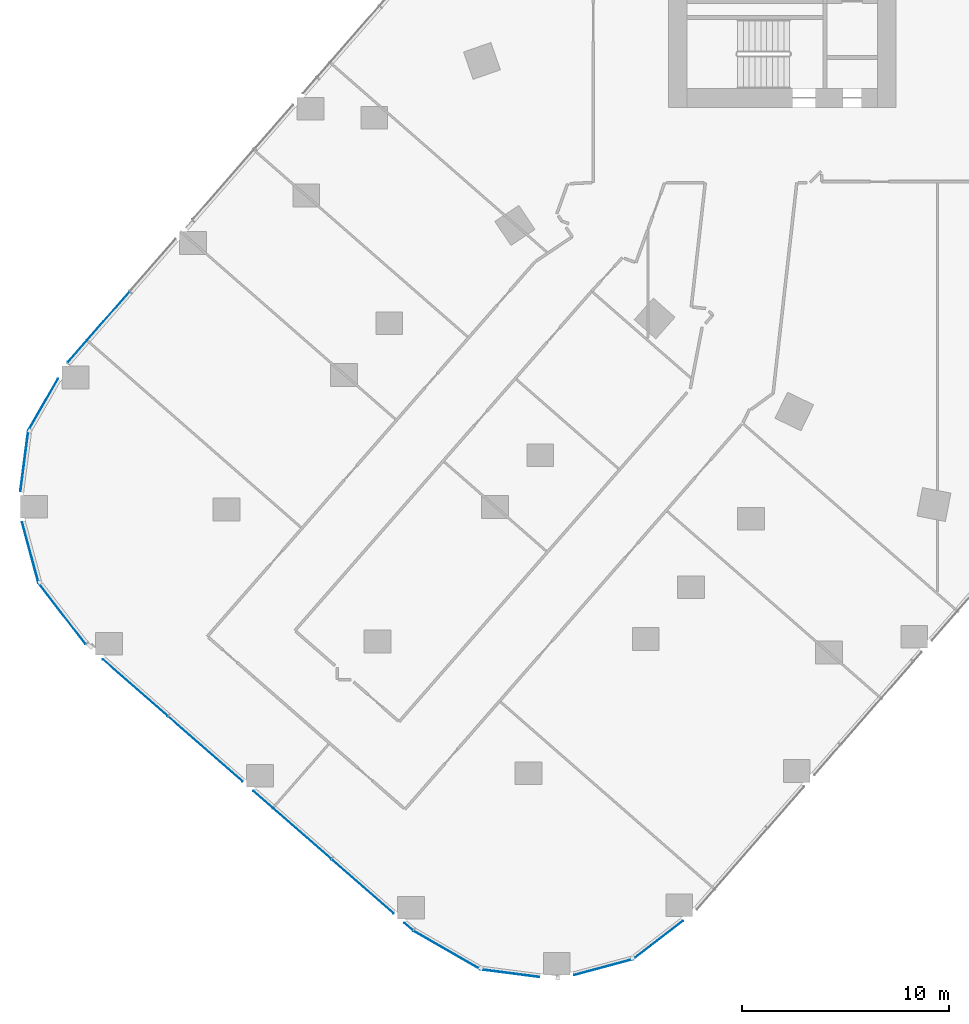
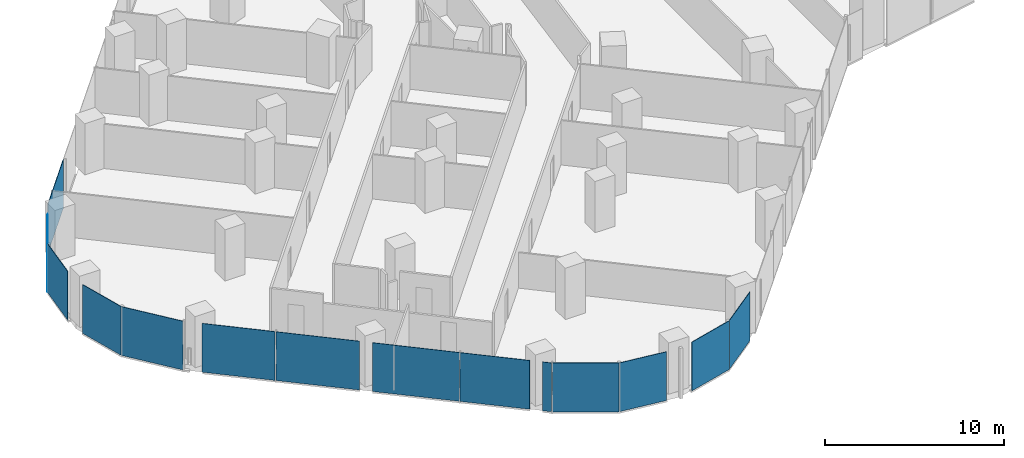
# One storey, part 18 of 38: 14 plates, 10 elements without a shape of their own.
"""IFC4 building model written with IfcOpenShell, lengths in metres."""

from ifc_helpers import new_model, si_unit, direction, frame, origin, origin_2d, place, context, subcontext, project, spatial, rectangle, extrude, material, layer, layer_set, type_object, element, aggregate, save


model = new_model("IFC4")

# Units and contexts
model_context = context("Model", 3, precision=1e-05, world=origin(), true_north=direction((0.0, 1.0)))
body_context = subcontext(model_context, "Body", "Model", "MODEL_VIEW")
ifc_project = project(units=[si_unit("LENGTHUNIT", "METRE"), si_unit("AREAUNIT", "SQUARE_METRE"), si_unit("VOLUMEUNIT", "CUBIC_METRE"), si_unit("PLANEANGLEUNIT", "RADIAN"), si_unit("MASSUNIT", "GRAM", prefix="KILO")], contexts=[model_context])

# Site, building, storey
site_placement = place(None, origin())
site = spatial("IfcSite", under=ifc_project, at=site_placement, CompositionType="ELEMENT")
building_placement = place(site_placement, origin())
building = spatial("IfcBuilding", under=site, at=building_placement, Name="Orlundy Tower", CompositionType="ELEMENT")
storey_placement = place(building_placement, frame((0.0, 0.0, 69.300048828125)))
storey = spatial("IfcBuildingStorey", under=building, at=storey_placement, Name="L16", CompositionType="ELEMENT", Elevation=69.300048828125)

# Curtain wall, plate
ifc_material_1 = material(Name="Aluminium bronze anodised", Category="aluminium")
curtain_wall_type = type_object("IfcCurtainWallType", Name="CW1 wall", PredefinedType="NOTDEFINED", material=ifc_material_1)
curtain_wall_1_placement = place(storey_placement, origin())
curtain_wall_1 = element("IfcCurtainWall", 1, at=curtain_wall_1_placement, inside=storey, type_object=curtain_wall_type, Name="CW1 run 03", PredefinedType="NOTDEFINED")
ifc_material_2 = material(Name="Tinted glass", Category="glass")
ifc_layer = layer(ifc_material_2, 0.031982421875)
ifc_layer_set = layer_set([ifc_layer], Name="CW1 glass panel 32")
plate_type = type_object("IfcPlateType", Name="CW1 glass panel 32", PredefinedType="CURTAIN_PANEL", material=ifc_layer_set)
plate_1_placement = place(storey_placement, frame((-19.51318359375, -52.286865234375, -0.280029296875), z_axis=(0.0, 0.0, 1.0), x_axis=(-0.79239325108, -0.610010602893, 0.0)))
plate_1 = element("IfcPlate", 2, at=plate_1_placement, type_object=plate_type, Name="CW1 panel", PredefinedType="CURTAIN_PANEL", context=body_context, shape_type="SweptSolid", body=[
    extrude(rectangle(XDim=3.045654296875, YDim=0.031982421875, at=origin_2d()), origin(), (0.0, 0.0, 1.0), 3.330078125),
])
aggregate(curtain_wall_1, [plate_1])

curtain_wall_2_placement = place(storey_placement, origin())
curtain_wall_2 = element("IfcCurtainWall", 3, at=curtain_wall_2_placement, inside=storey, type_object=curtain_wall_type, Name="CW1 run 04", PredefinedType="NOTDEFINED")
plate_2_placement = place(storey_placement, frame((-22.141357421875, -53.598876953125, -0.280029296875), z_axis=(0.0, 0.0, 1.0), x_axis=(-0.965587098839, -0.26007990033, 0.0)))
plate_2 = element("IfcPlate", 4, at=plate_2_placement, type_object=plate_type, Name="CW1 panel", PredefinedType="CURTAIN_PANEL", context=body_context, shape_type="SweptSolid", body=[
    extrude(rectangle(XDim=2.944580078125, YDim=0.031982421875, at=origin_2d()), origin(), (0.0, 0.0, 1.0), 3.330078125),
])
aggregate(curtain_wall_2, [plate_2])

curtain_wall_3_placement = place(storey_placement, origin())
curtain_wall_3 = element("IfcCurtainWall", 5, at=curtain_wall_3_placement, inside=storey, type_object=curtain_wall_type, Name="CW1 run 05", PredefinedType="NOTDEFINED")
plate_3_placement = place(storey_placement, frame((-26.682861328125, -53.89501953125, -0.280029296875), z_axis=(0.0, 0.0, 1.0), x_axis=(-0.991651478458, 0.128947063839, 0.0)))
plate_3 = element("IfcPlate", 6, at=plate_3_placement, type_object=plate_type, Name="CW1 panel", PredefinedType="CURTAIN_PANEL", context=body_context, shape_type="SweptSolid", body=[
    extrude(rectangle(XDim=2.863525390625, YDim=0.031982421875, at=origin_2d()), origin(), (0.0, 0.0, 1.0), 3.330078125),
])
aggregate(curtain_wall_3, [plate_3])

curtain_wall_4_placement = place(storey_placement, origin())
curtain_wall_4 = element("IfcCurtainWall", 7, at=curtain_wall_4_placement, inside=storey, type_object=curtain_wall_type, Name="CW1 run 06", PredefinedType="NOTDEFINED")
plate_4_placement = place(storey_placement, frame((-29.71923828125, -52.780029296875, -0.280029296875), z_axis=(0.0, 0.0, 1.0), x_axis=(-0.866728479616, 0.498780254844, 0.0)))
plate_4 = element("IfcPlate", 8, at=plate_4_placement, type_object=plate_type, Name="CW1 panel", PredefinedType="CURTAIN_PANEL", context=body_context, shape_type="SweptSolid", body=[
    extrude(rectangle(XDim=3.730712890625, YDim=0.031982421875, at=origin_2d()), origin(), (0.0, 0.0, 1.0), 3.330078125),
])
aggregate(curtain_wall_4, [plate_4])

# Curtain wall, plates
curtain_wall_5_placement = place(storey_placement, origin())
curtain_wall_5 = element("IfcCurtainWall", 9, at=curtain_wall_5_placement, inside=storey, type_object=curtain_wall_type, Name="CW1 run 07", PredefinedType="NOTDEFINED")
plate_5_placement = place(storey_placement, frame((-31.57421875, -51.647705078125, -0.280029296875), z_axis=(0.0, 0.0, 1.0), x_axis=(-0.752789052597, 0.658261834143, 0.0)))
plate_5 = element("IfcPlate", 10, at=plate_5_placement, type_object=plate_type, Name="CW1 panel", PredefinedType="CURTAIN_PANEL", context=body_context, shape_type="SweptSolid", body=[
    extrude(rectangle(XDim=0.52490234375, YDim=0.031982421875, at=origin_2d()), origin(), (0.0, 0.0, 1.0), 3.330078125),
])
plate_6_placement = place(storey_placement, frame((-33.81103515625, -49.69189453125, -0.280029296875), z_axis=(0.0, 0.0, 1.0), x_axis=(-0.752789052597, 0.658261834143, 0.0)))
plate_6 = element("IfcPlate", 11, at=plate_6_placement, type_object=plate_type, Name="CW1 panel", PredefinedType="CURTAIN_PANEL", context=body_context, shape_type="SweptSolid", body=[
    extrude(rectangle(XDim=3.964111328125, YDim=0.031982421875, at=origin_2d()), origin(), (0.0, 0.0, 1.0), 3.330078125),
])
plate_7_placement = place(storey_placement, frame((-37.207275390625, -46.72216796875, -0.280029296875), z_axis=(0.0, 0.0, 1.0), x_axis=(-0.752789052597, 0.658261834143, 0.0)))
plate_7 = element("IfcPlate", 12, at=plate_7_placement, type_object=plate_type, Name="CW1 panel", PredefinedType="CURTAIN_PANEL", context=body_context, shape_type="SweptSolid", body=[
    extrude(rectangle(XDim=4.958984375, YDim=0.031982421875, at=origin_2d()), origin(), (0.0, 0.0, 1.0), 3.330078125),
])
plate_8_placement = place(storey_placement, frame((-41.4140625, -43.04345703125, -0.280029296875), z_axis=(0.0, 0.0, 1.0), x_axis=(-0.752789052597, 0.658261834143, 0.0)))
plate_8 = element("IfcPlate", 13, at=plate_8_placement, type_object=plate_type, Name="CW1 panel", PredefinedType="CURTAIN_PANEL", context=body_context, shape_type="SweptSolid", body=[
    extrude(rectangle(XDim=4.763916015625, YDim=0.031982421875, at=origin_2d()), origin(), (0.0, 0.0, 1.0), 3.330078125),
])
plate_9_placement = place(storey_placement, frame((-44.810302734375, -40.073974609375, -0.280029296875), z_axis=(0.0, 0.0, 1.0), x_axis=(-0.752789052597, 0.658261834143, 0.0)))
plate_9 = element("IfcPlate", 14, at=plate_9_placement, type_object=plate_type, Name="CW1 panel", PredefinedType="CURTAIN_PANEL", context=body_context, shape_type="SweptSolid", body=[
    extrude(rectangle(XDim=4.1591796875, YDim=0.031982421875, at=origin_2d()), origin(), (0.0, 0.0, 1.0), 3.330078125),
])
aggregate(curtain_wall_5, [plate_5, plate_6, plate_7, plate_8, plate_9])

# Curtain wall, plate
curtain_wall_6_placement = place(storey_placement, origin())
curtain_wall_6 = element("IfcCurtainWall", 15, at=curtain_wall_6_placement, inside=storey, type_object=curtain_wall_type, Name="CW1 run 08", PredefinedType="NOTDEFINED")
plate_10_placement = place(storey_placement, frame((-48.34326171875, -36.49462890625, -0.280029296875), z_axis=(0.0, 0.0, 1.0), x_axis=(-0.609880211285, 0.792493613781, 0.0)))
plate_10 = element("IfcPlate", 16, at=plate_10_placement, type_object=plate_type, Name="CW1 panel", PredefinedType="CURTAIN_PANEL", context=body_context, shape_type="SweptSolid", body=[
    extrude(rectangle(XDim=3.73095703125, YDim=0.031982421875, at=origin_2d()), origin(), (0.0, 0.0, 1.0), 3.330078125),
])
aggregate(curtain_wall_6, [plate_10])

curtain_wall_7_placement = place(storey_placement, origin())
curtain_wall_7 = element("IfcCurtainWall", 17, at=curtain_wall_7_placement, inside=storey, type_object=curtain_wall_type, Name="CW1 run 09", PredefinedType="NOTDEFINED")
plate_11_placement = place(storey_placement, frame((-49.877685546875, -33.544677734375, -0.280029296875), z_axis=(0.0, 0.0, 1.0), x_axis=(-0.260331417091, 0.965519317919, 0.0)))
plate_11 = element("IfcPlate", 18, at=plate_11_placement, type_object=plate_type, Name="CW1 panel", PredefinedType="CURTAIN_PANEL", context=body_context, shape_type="SweptSolid", body=[
    extrude(rectangle(XDim=3.04833984375, YDim=0.031982421875, at=origin_2d()), origin(), (0.0, 0.0, 1.0), 3.330078125),
])
aggregate(curtain_wall_7, [plate_11])

curtain_wall_8_placement = place(storey_placement, origin())
curtain_wall_8 = element("IfcCurtainWall", 19, at=curtain_wall_8_placement, inside=storey, type_object=curtain_wall_type, Name="CW1 run 010", PredefinedType="NOTDEFINED")
plate_12_placement = place(storey_placement, frame((-50.1669921875, -29.103759765625, -0.280029296875), z_axis=(0.0, 0.0, 1.0), x_axis=(0.129246900831, 0.991612443763, 0.0)))
plate_12 = element("IfcPlate", 20, at=plate_12_placement, type_object=plate_type, Name="CW1 panel", PredefinedType="CURTAIN_PANEL", context=body_context, shape_type="SweptSolid", body=[
    extrude(rectangle(XDim=2.96337890625, YDim=0.031982421875, at=origin_2d()), origin(), (0.0, 0.0, 1.0), 3.330078125),
])
aggregate(curtain_wall_8, [plate_12])

curtain_wall_9_placement = place(storey_placement, origin())
curtain_wall_9 = element("IfcCurtainWall", 21, at=curtain_wall_9_placement, inside=storey, type_object=curtain_wall_type, Name="CW1 run 011", PredefinedType="NOTDEFINED")
plate_13_placement = place(storey_placement, frame((-49.25732421875, -26.3857421875, -0.280029296875), z_axis=(0.0, 0.0, 1.0), x_axis=(0.498577567738, 0.866845089361, 0.0)))
plate_13 = element("IfcPlate", 22, at=plate_13_placement, type_object=plate_type, Name="CW1 panel", PredefinedType="CURTAIN_PANEL", context=body_context, shape_type="SweptSolid", body=[
    extrude(rectangle(XDim=2.881103515625, YDim=0.031982421875, at=origin_2d()), origin(), (0.0, 0.0, 1.0), 3.330078125),
])
aggregate(curtain_wall_9, [plate_13])

curtain_wall_10_placement = place(storey_placement, origin())
curtain_wall_10 = element("IfcCurtainWall", 23, at=curtain_wall_10_placement, inside=storey, type_object=curtain_wall_type, Name="CW1 run 012", PredefinedType="NOTDEFINED")
plate_14_placement = place(storey_placement, frame((-46.571044921875, -22.627197265625, -0.280029296875), z_axis=(0.0, 0.0, 1.0), x_axis=(0.658273153933, 0.752779154075, 0.0)))
plate_14 = element("IfcPlate", 24, at=plate_14_placement, type_object=plate_type, Name="CW1 panel", PredefinedType="CURTAIN_PANEL", context=body_context, shape_type="SweptSolid", body=[
    extrude(rectangle(XDim=4.50537109375, YDim=0.031982421875, at=origin_2d()), origin(), (0.0, 0.0, 1.0), 3.330078125),
])
aggregate(curtain_wall_10, [plate_14])

save(model, "model.ifc")
